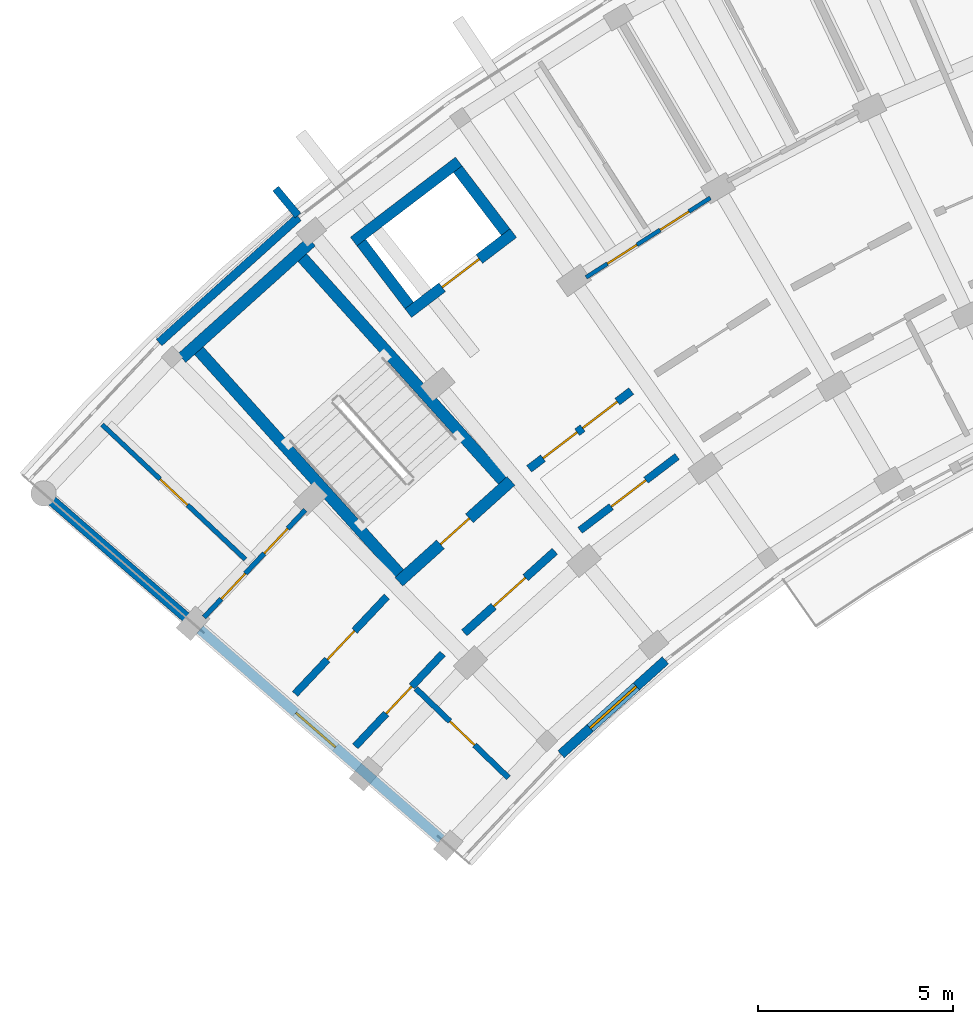
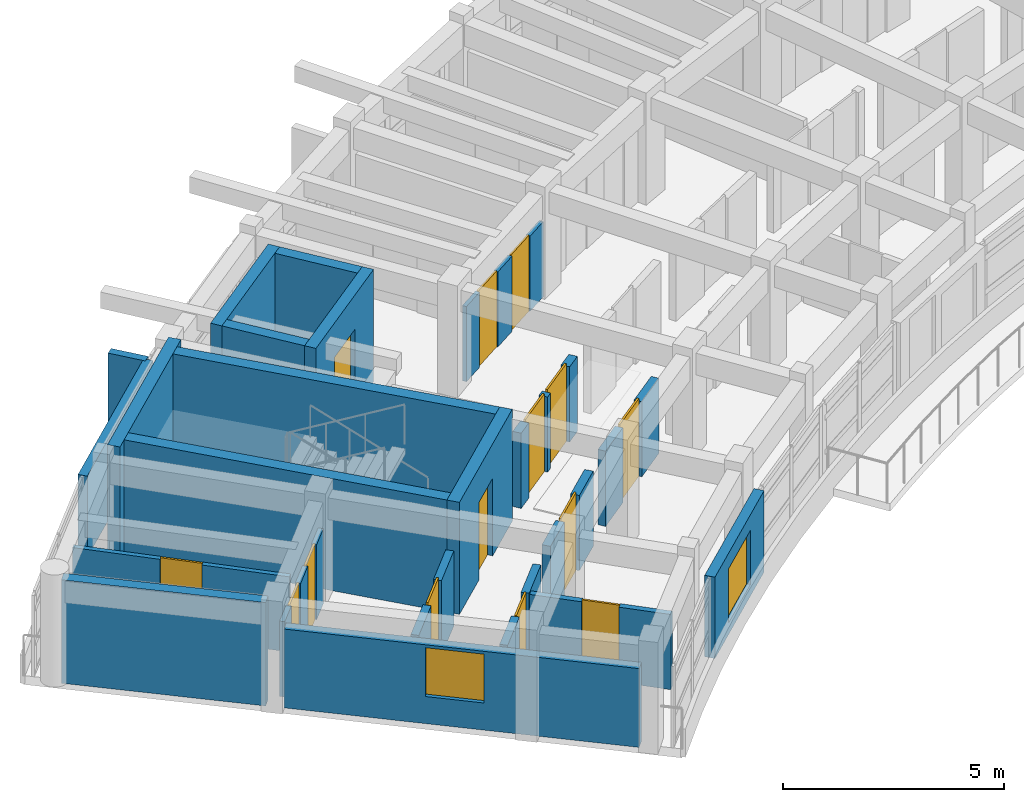
# One storey, part 27 of 54: 22 walls, 14 doors, 2 windows, 16 openings.
"""IFC4 building model written with IfcOpenShell, lengths in metres."""

from ifc_helpers import new_model, si_unit, direction, frame, frame_2d, origin, place, context, subcontext, project, spatial, rectangle, extrude, material, layer, layer_set, type_object, element, fill, save


model = new_model("IFC4")

# Units and contexts
model_context = context("Model", 3, precision=1e-05, world=origin(), true_north=direction((0.0, 1.0)))
body_context = subcontext(model_context, "Body", "Model", "MODEL_VIEW")
ifc_project = project(units=[si_unit("LENGTHUNIT", "METRE"), si_unit("AREAUNIT", "SQUARE_METRE"), si_unit("VOLUMEUNIT", "CUBIC_METRE"), si_unit("PLANEANGLEUNIT", "RADIAN"), si_unit("MASSUNIT", "GRAM", prefix="KILO")], contexts=[model_context])

# Site, building, storey
site_placement = place(None, origin())
site = spatial("IfcSite", under=ifc_project, at=site_placement, CompositionType="ELEMENT")
building_placement = place(site_placement, origin())
building = spatial("IfcBuilding", under=site, at=building_placement, Name="Zimvara Arc Housing Community", CompositionType="ELEMENT")
storey_placement = place(building_placement, frame((0.0, 0.0, 23.60009765625)))
storey = spatial("IfcBuildingStorey", under=building, at=storey_placement, Name="L07", CompositionType="ELEMENT", Elevation=23.60009765625)

# Wall
ifc_material_1 = material(Name="Board-Marked Fair-Faced Concrete C35/45", Category="concrete")
ifc_layer_1 = layer(ifc_material_1, 0.219970703125)
ifc_layer_set_1 = layer_set([ifc_layer_1], Name="Board-Marked Fair-Faced Concrete C35/45")
wall_type_1 = type_object("IfcWallType", Name="EWL-CONC-220", PredefinedType="SOLIDWALL", material=ifc_layer_set_1)
wall_1_placement = place(storey_placement, frame((3.528076171875, 86.996826171875, 0.0), z_axis=(0.0, 0.0, 1.0), x_axis=(0.743387539862, 0.668860946369, 0.0)))
element("IfcWall", 1, at=wall_1_placement, inside=storey, type_object=wall_type_1, Name="ewall:blkA:L07:out:b1", PredefinedType="SOLIDWALL", context=body_context, shape_type="SweptSolid", body=[
    extrude(rectangle(XDim=4.80908203125, YDim=0.219970703125, at=frame_2d((2.404541015625, 0.0))), origin(), (0.0, 0.0, 1.0), 2.25),
])

# Wall, opening, window
ifc_material_2 = material(Name="Board-Marked Fair-Faced Concrete C35/45", Category="concrete")
ifc_layer_2 = layer(ifc_material_2, 0.2548828125)
ifc_layer_set_2 = layer_set([ifc_layer_2], Name="Board-Marked Fair-Faced Concrete C35/45")
wall_type_2 = type_object("IfcWallType", Name="EWL-CONC-255", PredefinedType="SOLIDWALL", material=ifc_layer_set_2)
wall_2_placement = place(storey_placement, frame((10.766357421875, 74.2587890625, 0.0), z_axis=(0.0, 0.0, 1.0), x_axis=(-0.754717680958, 0.656049710044, 0.0)))
wall_2 = element("IfcWall", 2, at=wall_2_placement, inside=storey, type_object=wall_type_2, Name="ewall:blkA:L07:g0", PredefinedType="SOLIDWALL", context=body_context, shape_type="SweptSolid", body=[
    extrude(rectangle(XDim=8.199951171875, YDim=0.2548828125, at=frame_2d((4.10009765625, 0.0))), origin(), (0.0, 0.0, 1.0), 2.179931640625),
])
opening_1_placement = place(wall_2_placement, frame((3.590087890625, 0.0, 0.75)))
opening_1 = element("IfcOpeningElement", 3, at=opening_1_placement, cuts=wall_2, Name="Opening W12", PredefinedType="OPENING", context=body_context, shape_type="SweptSolid", body=[
    extrude(rectangle(XDim=1.35009765625, YDim=1.35009765625, at=frame_2d((0.675048828125, 0.675048828125))), frame((0.0, 0.137451171875, 0.0), z_axis=(0.0, -1.0, 0.0), x_axis=(1.0, 0.0, 0.0)), (0.0, 0.0, 1.0), 0.27490234375),
])
ifc_material_3 = material(Name="Solar Control Low-E Double Glazing", Category="glass")
window_type_1 = type_object("IfcWindowType", Name="WIN-RES-1350x1350", PartitioningType="DOUBLE_PANEL_VERTICAL", PredefinedType="WINDOW", material=ifc_material_3)
window_1_placement = place(opening_1_placement, origin())
window_1 = element("IfcWindow", 4, at=window_1_placement, inside=storey, type_object=window_type_1, Name="win:blkA:L07:g0:w", OverallHeight=1.35009765625, OverallWidth=1.35009765625, PartitioningType="DOUBLE_PANEL_VERTICAL", PredefinedType="WINDOW", context=body_context, shape_type="SweptSolid", body=[
    extrude(rectangle(XDim=1.35009765625, YDim=1.35009765625, at=frame_2d((0.675048828125, 0.675048828125))), frame((0.0, 0.030029296875, 0.0), z_axis=(0.0, -1.0, 0.0), x_axis=(1.0, 0.0, 0.0)), (0.0, 0.0, 1.0), 0.06005859375),
])
fill(opening_1, window_1)

# Wall
ifc_material_4 = material(Name="Board-Marked Fair-Faced Concrete C35/45", Category="concrete")
ifc_layer_3 = layer(ifc_material_4, 0.195068359375)
ifc_layer_set_3 = layer_set([ifc_layer_3], Name="Board-Marked Fair-Faced Concrete C35/45")
wall_type_3 = type_object("IfcWallType", Name="EWL-PARA-195", PredefinedType="PARAPET", material=ifc_layer_set_3)
wall_3_placement = place(storey_placement, frame((7.09228515625, 90.25732421875, 0.0), z_axis=(0.0, 0.0, 1.0), x_axis=(-0.637967316825, 0.770063440674, 0.0)))
element("IfcWall", 5, at=wall_3_placement, inside=storey, type_object=wall_type_3, Name="finwall:blkA:L07:out:b2", PredefinedType="PARAPET", context=body_context, shape_type="SweptSolid", body=[
    extrude(rectangle(XDim=0.900146484375, YDim=0.195068359375, at=frame_2d((0.4501953125, 0.0))), origin(), (0.0, 0.0, 1.0), 2.25),
])

# Wall, opening, window
ifc_material_5 = material(Name="Pigmented Fair-Faced Concrete C35/45", Category="concrete")
ifc_layer_4 = layer(ifc_material_5, 0.2451171875)
ifc_layer_set_4 = layer_set([ifc_layer_4], Name="Pigmented Fair-Faced Concrete C35/45")
wall_type_4 = type_object("IfcWallType", Name="EWL-PIGM-245", PredefinedType="SOLIDWALL", material=ifc_layer_set_4)
wall_4_placement = place(storey_placement, frame((13.84033203125, 76.436767578125, 0.0), z_axis=(0.0, 0.0, 1.0), x_axis=(0.743385092197, 0.668863666751, 0.0)))
wall_4 = element("IfcWall", 6, at=wall_4_placement, inside=storey, type_object=wall_type_4, Name="ewall:blkA:L07:in:b1", PredefinedType="SOLIDWALL", context=body_context, shape_type="SweptSolid", body=[
    extrude(rectangle(XDim=3.603759765625, YDim=0.2451171875, at=frame_2d((1.8017578125, 0.0))), origin(), (0.0, 0.0, 1.0), 2.25),
])
opening_2_placement = place(wall_4_placement, frame((1.001708984375, 0.0, 0.320068359375)))
opening_2 = element("IfcOpeningElement", 7, at=opening_2_placement, cuts=wall_4, Name="Opening W03", PredefinedType="OPENING", context=body_context, shape_type="SweptSolid", body=[
    extrude(rectangle(XDim=1.60009765625, YDim=1.5, at=frame_2d((0.800048828125, 0.75))), frame((0.0, 0.132568359375, 0.0), z_axis=(0.0, -1.0, 0.0), x_axis=(1.0, 0.0, 0.0)), (0.0, 0.0, 1.0), 0.26513671875),
])
ifc_material_6 = material(Name="Solar Control Low-E Double Glazing", Category="glass")
window_type_2 = type_object("IfcWindowType", Name="WIN-RES-1600x1500", PartitioningType="DOUBLE_PANEL_VERTICAL", PredefinedType="WINDOW", material=ifc_material_6)
window_2_placement = place(opening_2_placement, origin())
window_2 = element("IfcWindow", 8, at=window_2_placement, inside=storey, type_object=window_type_2, Name="win:blkA:L07:in:b1", OverallHeight=1.5, OverallWidth=1.60009765625, PartitioningType="DOUBLE_PANEL_VERTICAL", PredefinedType="WINDOW", context=body_context, shape_type="SweptSolid", body=[
    extrude(rectangle(XDim=1.60009765625, YDim=1.5, at=frame_2d((0.800048828125, 0.75))), frame((0.0, 0.030029296875, 0.0), z_axis=(0.0, -1.0, 0.0), x_axis=(1.0, 0.0, 0.0)), (0.0, 0.0, 1.0), 0.06005859375),
])
fill(opening_2, window_2)

# Wall, opening, door
ifc_material_7 = material(Name="Concrete C35/45", Category="concrete")
ifc_layer_5 = layer(ifc_material_7, 0.2099609375)
ifc_layer_set_5 = layer_set([ifc_layer_5], Name="Concrete C35/45")
wall_type_5 = type_object("IfcWallType", Name="IWL-CCF-210", PredefinedType="SOLIDWALL", material=ifc_layer_set_5)
wall_5_placement = place(storey_placement, frame((11.357177734375, 79.5517578125, 0.0), z_axis=(0.0, 0.0, 1.0), x_axis=(0.743387266925, 0.668861249718, 0.0)))
wall_5 = element("IfcWall", 9, at=wall_5_placement, inside=storey, type_object=wall_type_5, Name="iwall:blkA:L07:ccf_div:b1", PredefinedType="SOLIDWALL", context=body_context, shape_type="SweptSolid", body=[
    extrude(rectangle(XDim=3.12841796875, YDim=0.2099609375, at=frame_2d((1.564208984375, 0.0))), origin(), (0.0, 0.0, 1.0), 2.079833984375),
])
opening_3_placement = place(wall_5_placement, frame((1.014404296875, 0.0, 0.0)))
opening_3 = element("IfcOpeningElement", 10, at=opening_3_placement, cuts=wall_5, Name="Opening FD-CCF1", PredefinedType="OPENING", context=body_context, shape_type="SweptSolid", body=[
    extrude(rectangle(XDim=1.10009765625, YDim=2.14990234375, at=frame_2d((0.550048828125, 1.074951171875))), frame((0.0, 0.114990234375, 0.0), z_axis=(0.0, -1.0, 0.0), x_axis=(1.0, 0.0, 0.0)), (0.0, 0.0, 1.0), 0.22998046875),
])
ifc_material_8 = material(Name="Anodised Aluminium AW-6063", Category="aluminium")
door_type_1 = type_object("IfcDoorType", Name="IDR-CCF-1100x2150", OperationType="NOTDEFINED", PredefinedType="DOOR", material=ifc_material_8)
door_1_placement = place(opening_3_placement, origin())
door_1 = element("IfcDoor", 11, at=door_1_placement, inside=storey, type_object=door_type_1, Name="idoor:blkA:L07:ccf_in:b1", OperationType="SINGLE_SWING_RIGHT", OverallHeight=2.14990234375, OverallWidth=1.10009765625, PredefinedType="DOOR", context=body_context, shape_type="SweptSolid", body=[
    extrude(rectangle(XDim=1.10009765625, YDim=2.14990234375, at=frame_2d((0.550048828125, 1.074951171875))), frame((0.0, 0.02490234375, 0.0), z_axis=(0.0, -1.0, 0.0), x_axis=(1.0, 0.0, 0.0)), (0.0, 0.0, 1.0), 0.050048828125),
])
fill(opening_3, door_1)

# Wall, openings, doors
wall_6_placement = place(storey_placement, frame((13.021240234375, 83.758544921875, 0.0), z_axis=(0.0, 0.0, 1.0), x_axis=(0.795498026433, 0.605956178235, 0.0)))
wall_6 = element("IfcWall", 12, at=wall_6_placement, inside=storey, type_object=wall_type_5, Name="iwall:blkA:L07:ll_div:b2", PredefinedType="SOLIDWALL", context=body_context, shape_type="SweptSolid", body=[
    extrude(rectangle(XDim=3.296142578125, YDim=0.2099609375, at=frame_2d((1.64794921875, 0.0))), origin(), (0.0, 0.0, 1.0), 2.079833984375),
])
opening_4_placement = place(wall_6_placement, frame((0.449951171875, 0.0, 0.0)))
opening_4 = element("IfcOpeningElement", 13, at=opening_4_placement, cuts=wall_6, Name="Opening FD-CCF1", PredefinedType="OPENING", context=body_context, shape_type="SweptSolid", body=[
    extrude(rectangle(XDim=1.10009765625, YDim=2.14990234375, at=frame_2d((0.550048828125, 1.074951171875))), frame((0.0, 0.114990234375, 0.0), z_axis=(0.0, -1.0, 0.0), x_axis=(1.0, 0.0, 0.0)), (0.0, 0.0, 1.0), 0.22998046875),
])
opening_5_placement = place(wall_6_placement, frame((1.72607421875, 0.0, 0.0)))
opening_5 = element("IfcOpeningElement", 14, at=opening_5_placement, cuts=wall_6, Name="Opening D07", PredefinedType="OPENING", context=body_context, shape_type="SweptSolid", body=[
    extrude(rectangle(XDim=1.1201171875, YDim=2.14990234375, at=frame_2d((0.56005859375, 1.074951171875))), frame((0.0, 0.114990234375, 0.0), z_axis=(0.0, -1.0, 0.0), x_axis=(1.0, 0.0, 0.0)), (0.0, 0.0, 1.0), 0.22998046875),
])
ifc_material_9 = material(Name="Mozambican Hardwood", Category="wood")
door_type_2 = type_object("IfcDoorType", Name="IDR-AMN-1120x2150", OperationType="NOTDEFINED", PredefinedType="DOOR", material=ifc_material_9)
door_2_placement = place(opening_5_placement, origin())
door_2 = element("IfcDoor", 15, at=door_2_placement, inside=storey, type_object=door_type_2, Name="idoor:blkA:L07:rs_in:b2", OperationType="SINGLE_SWING_RIGHT", OverallHeight=2.14990234375, OverallWidth=1.1201171875, PredefinedType="DOOR", context=body_context, shape_type="SweptSolid", body=[
    extrude(rectangle(XDim=1.1201171875, YDim=2.14990234375, at=frame_2d((0.56005859375, 1.074951171875))), frame((0.0, 0.02490234375, 0.0), z_axis=(0.0, -1.0, 0.0), x_axis=(1.0, 0.0, 0.0)), (0.0, 0.0, 1.0), 0.050048828125),
])
fill(opening_5, door_2)
door_3_placement = place(opening_4_placement, origin())
door_3 = element("IfcDoor", 16, at=door_3_placement, inside=storey, type_object=door_type_1, Name="idoor:blkA:L07:ll_in:b2", OperationType="SINGLE_SWING_LEFT", OverallHeight=2.14990234375, OverallWidth=1.10009765625, PredefinedType="DOOR", context=body_context, shape_type="SweptSolid", body=[
    extrude(rectangle(XDim=1.10009765625, YDim=2.14990234375, at=frame_2d((0.550048828125, 1.074951171875))), frame((0.0, 0.02490234375, 0.0), z_axis=(0.0, -1.0, 0.0), x_axis=(1.0, 0.0, 0.0)), (0.0, 0.0, 1.0), 0.050048828125),
])
fill(opening_4, door_3)

# Wall, opening, door
ifc_material_10 = material(Name="Concrete C35/45", Category="concrete")
ifc_layer_6 = layer(ifc_material_10, 0.18994140625)
ifc_layer_set_6 = layer_set([ifc_layer_6], Name="Concrete C35/45")
wall_type_6 = type_object("IfcWallType", Name="IWL-CORR-190", PredefinedType="SOLIDWALL", material=ifc_layer_set_6)
wall_7_placement = place(storey_placement, frame((7.01416015625, 77.98388671875, 0.0), z_axis=(0.0, 0.0, 1.0), x_axis=(0.686310507227, 0.727308660522, 0.0)))
wall_7 = element("IfcWall", 17, at=wall_7_placement, inside=storey, type_object=wall_type_6, Name="iwall:blkA:L07:corr_out:b0", PredefinedType="SOLIDWALL", context=body_context, shape_type="SweptSolid", body=[
    extrude(rectangle(XDim=3.43603515625, YDim=0.18994140625, at=frame_2d((1.718017578125, 0.0))), origin(), (0.0, 0.0, 1.0), 2.079833984375),
])
opening_6_placement = place(wall_7_placement, frame((1.2080078125, 0.0, 0.0)))
opening_6 = element("IfcOpeningElement", 18, at=opening_6_placement, cuts=wall_7, Name="Opening FD-FL2", PredefinedType="OPENING", context=body_context, shape_type="SweptSolid", body=[
    extrude(rectangle(XDim=1.02001953125, YDim=2.14990234375, at=frame_2d((0.510009765625, 1.074951171875))), frame((0.0, 0.10498046875, 0.0), z_axis=(0.0, -1.0, 0.0), x_axis=(1.0, 0.0, 0.0)), (0.0, 0.0, 1.0), 0.2099609375),
])
ifc_material_11 = material(Name="Mozambican Hardwood", Category="wood")
door_type_3 = type_object("IfcDoorType", Name="IDR-FLAT-1020x2150", OperationType="NOTDEFINED", PredefinedType="DOOR", material=ifc_material_11)
door_4_placement = place(opening_6_placement, origin())
door_4 = element("IfcDoor", 19, at=door_4_placement, inside=storey, type_object=door_type_3, Name="idoor:blkA:L07:flat:b0", OperationType="SINGLE_SWING_RIGHT", OverallHeight=2.14990234375, OverallWidth=1.02001953125, PredefinedType="DOOR", context=body_context, shape_type="SweptSolid", body=[
    extrude(rectangle(XDim=1.02001953125, YDim=2.14990234375, at=frame_2d((0.510009765625, 1.074951171875))), frame((0.0, 0.02490234375, 0.0), z_axis=(0.0, -1.0, 0.0), x_axis=(1.0, 0.0, 0.0)), (0.0, 0.0, 1.0), 0.050048828125),
])
fill(opening_6, door_4)

wall_8_placement = place(storey_placement, frame((8.561279296875, 76.638916015625, 0.0), z_axis=(0.0, 0.0, 1.0), x_axis=(0.686307658735, 0.727311348434, 0.0)))
wall_8 = element("IfcWall", 20, at=wall_8_placement, inside=storey, type_object=wall_type_6, Name="iwall:blkA:L07:corr_in:b0", PredefinedType="SOLIDWALL", context=body_context, shape_type="SweptSolid", body=[
    extrude(rectangle(XDim=3.268798828125, YDim=0.18994140625, at=frame_2d((1.63427734375, 0.0))), origin(), (0.0, 0.0, 1.0), 2.079833984375),
])
opening_7_placement = place(wall_8_placement, frame((1.154296875, 0.0, 0.0)))
opening_7 = element("IfcOpeningElement", 21, at=opening_7_placement, cuts=wall_8, Name="Opening D04", PredefinedType="OPENING", context=body_context, shape_type="SweptSolid", body=[
    extrude(rectangle(XDim=0.9599609375, YDim=2.10009765625, at=frame_2d((0.47998046875, 1.050048828125))), frame((0.0, 0.10498046875, 0.0), z_axis=(0.0, -1.0, 0.0), x_axis=(1.0, 0.0, 0.0)), (0.0, 0.0, 1.0), 0.2099609375),
])
ifc_material_12 = material(Name="Mozambican Hardwood", Category="wood")
door_type_4 = type_object("IfcDoorType", Name="IDR-RM-0960x2100", OperationType="NOTDEFINED", PredefinedType="DOOR", material=ifc_material_12)
door_5_placement = place(opening_7_placement, origin())
door_5 = element("IfcDoor", 22, at=door_5_placement, inside=storey, type_object=door_type_4, Name="idoor:blkA:L07:in_rm:b0", OperationType="SINGLE_SWING_LEFT", OverallHeight=2.10009765625, OverallWidth=0.9599609375, PredefinedType="DOOR", context=body_context, shape_type="SweptSolid", body=[
    extrude(rectangle(XDim=0.9599609375, YDim=2.10009765625, at=frame_2d((0.47998046875, 1.050048828125))), frame((0.0, 0.02490234375, 0.0), z_axis=(0.0, -1.0, 0.0), x_axis=(1.0, 0.0, 0.0)), (0.0, 0.0, 1.0), 0.050048828125),
])
fill(opening_7, door_5)

wall_9_placement = place(storey_placement, frame((14.3291015625, 82.179931640625, 0.0), z_axis=(0.0, 0.0, 1.0), x_axis=(0.795501577908, 0.605951515838, 0.0)))
wall_9 = element("IfcWall", 23, at=wall_9_placement, inside=storey, type_object=wall_type_6, Name="iwall:blkA:L07:ra_div:b2", PredefinedType="SOLIDWALL", context=body_context, shape_type="SweptSolid", body=[
    extrude(rectangle(XDim=3.128662109375, YDim=0.18994140625, at=frame_2d((1.564453125, 0.0))), origin(), (0.0, 0.0, 1.0), 2.079833984375),
])
opening_8_placement = place(wall_9_placement, frame((1.00439453125, 0.0, 0.0)))
opening_8 = element("IfcOpeningElement", 24, at=opening_8_placement, cuts=wall_9, Name="Opening D07", PredefinedType="OPENING", context=body_context, shape_type="SweptSolid", body=[
    extrude(rectangle(XDim=1.1201171875, YDim=2.14990234375, at=frame_2d((0.56005859375, 1.074951171875))), frame((0.0, 0.10498046875, 0.0), z_axis=(0.0, -1.0, 0.0), x_axis=(1.0, 0.0, 0.0)), (0.0, 0.0, 1.0), 0.2099609375),
])
door_6_placement = place(opening_8_placement, origin())
door_6 = element("IfcDoor", 25, at=door_6_placement, inside=storey, type_object=door_type_2, Name="idoor:blkA:L07:ra_d:b2", OperationType="SINGLE_SWING_LEFT", OverallHeight=2.14990234375, OverallWidth=1.1201171875, PredefinedType="DOOR", context=body_context, shape_type="SweptSolid", body=[
    extrude(rectangle(XDim=1.1201171875, YDim=2.14990234375, at=frame_2d((0.56005859375, 1.074951171875))), frame((0.0, 0.02490234375, 0.0), z_axis=(0.0, -1.0, 0.0), x_axis=(1.0, 0.0, 0.0)), (0.0, 0.0, 1.0), 0.050048828125),
])
fill(opening_8, door_6)

# Wall, openings, doors
ifc_material_13 = material(Name="Painted Acoustic Plasterboard")
ifc_layer_7 = layer(ifc_material_13, 0.10498046875)
ifc_layer_set_7 = layer_set([ifc_layer_7], Name="Painted Acoustic Plasterboard")
wall_type_7 = type_object("IfcWallType", Name="IWL-PART-105", PredefinedType="PARTITIONING", material=ifc_layer_set_7)
wall_10_placement = place(storey_placement, frame((14.482421875, 88.671630859375, 0.0), z_axis=(0.0, 0.0, 1.0), x_axis=(0.842245628842, 0.539093962771, 0.0)))
wall_10 = element("IfcWall", 26, at=wall_10_placement, inside=storey, type_object=wall_type_7, Name="iwall:blkA:L07:srv:b3", PredefinedType="PARTITIONING", context=body_context, shape_type="SweptSolid", body=[
    extrude(rectangle(XDim=3.78515625, YDim=0.10498046875, at=frame_2d((1.892578125, 0.0))), origin(), (0.0, 0.0, 1.0), 2.079833984375),
])
opening_9_placement = place(wall_10_placement, frame((0.64990234375, 0.0, 0.0)))
opening_9 = element("IfcOpeningElement", 27, at=opening_9_placement, cuts=wall_10, Name="Opening D01", PredefinedType="OPENING", context=body_context, shape_type="SweptSolid", body=[
    extrude(rectangle(XDim=0.89990234375, YDim=2.10009765625, at=frame_2d((0.449951171875, 1.050048828125))), frame((0.0, 0.0625, 0.0), z_axis=(0.0, -1.0, 0.0), x_axis=(1.0, 0.0, 0.0)), (0.0, 0.0, 1.0), 0.125),
])
opening_10_placement = place(wall_10_placement, frame((2.255126953125, 0.0, 0.0)))
opening_10 = element("IfcOpeningElement", 28, at=opening_10_placement, cuts=wall_10, Name="Opening D05", PredefinedType="OPENING", context=body_context, shape_type="SweptSolid", body=[
    extrude(rectangle(XDim=0.8798828125, YDim=2.10009765625, at=frame_2d((0.43994140625, 1.050048828125))), frame((0.0, 0.0625, 0.0), z_axis=(0.0, -1.0, 0.0), x_axis=(1.0, 0.0, 0.0)), (0.0, 0.0, 1.0), 0.125),
])
ifc_material_14 = material(Name="Mozambican Hardwood", Category="wood")
door_type_5 = type_object("IfcDoorType", Name="IDR-RM-0900x2100", OperationType="NOTDEFINED", PredefinedType="DOOR", material=ifc_material_14)
door_7_placement = place(opening_9_placement, origin())
door_7 = element("IfcDoor", 29, at=door_7_placement, inside=storey, type_object=door_type_5, Name="idoor:blkA:L07:kit_liv:b3", OperationType="SINGLE_SWING_RIGHT", OverallHeight=2.10009765625, OverallWidth=0.89990234375, PredefinedType="DOOR", context=body_context, shape_type="SweptSolid", body=[
    extrude(rectangle(XDim=0.89990234375, YDim=2.10009765625, at=frame_2d((0.449951171875, 1.050048828125))), frame((0.0, 0.02490234375, 0.0), z_axis=(0.0, -1.0, 0.0), x_axis=(1.0, 0.0, 0.0)), (0.0, 0.0, 1.0), 0.050048828125),
])
fill(opening_9, door_7)
ifc_material_15 = material(Name="Mozambican Hardwood", Category="wood")
door_type_6 = type_object("IfcDoorType", Name="IDR-WC-0880x2100", OperationType="NOTDEFINED", PredefinedType="DOOR", material=ifc_material_15)
door_8_placement = place(opening_10_placement, origin())
door_8 = element("IfcDoor", 30, at=door_8_placement, inside=storey, type_object=door_type_6, Name="idoor:blkA:L07:bath_d:b3", OperationType="SINGLE_SWING_LEFT", OverallHeight=2.10009765625, OverallWidth=0.8798828125, PredefinedType="DOOR", context=body_context, shape_type="SweptSolid", body=[
    extrude(rectangle(XDim=0.8798828125, YDim=2.10009765625, at=frame_2d((0.43994140625, 1.050048828125))), frame((0.0, 0.02490234375, 0.0), z_axis=(0.0, -1.0, 0.0), x_axis=(1.0, 0.0, 0.0)), (0.0, 0.0, 1.0), 0.050048828125),
])
fill(opening_10, door_8)

# Wall, opening, door
ifc_material_16 = material(Name="Painted Acoustic Plasterboard")
ifc_layer_8 = layer(ifc_material_16, 0.1201171875)
ifc_layer_set_8 = layer_set([ifc_layer_8], Name="Painted Acoustic Plasterboard")
wall_type_8 = type_object("IfcWallType", Name="IWL-PART-120", PredefinedType="PARTITIONING", material=ifc_layer_set_8)
wall_11_placement = place(storey_placement, frame((5.7431640625, 81.433837890625, 0.0), z_axis=(0.0, 0.0, 1.0), x_axis=(-0.72831636485, 0.685241032551, 0.0)))
wall_11 = element("IfcWall", 31, at=wall_11_placement, inside=storey, type_object=wall_type_8, Name="iwall:blkA:L07:bed_div:b0", PredefinedType="PARTITIONING", context=body_context, shape_type="SweptSolid", body=[
    extrude(rectangle(XDim=5.050048828125, YDim=0.1201171875, at=frame_2d((2.52490234375, 0.0))), origin(), (0.0, 0.0, 1.0), 2.079833984375),
])
opening_11_placement = place(wall_11_placement, frame((2.0400390625, 0.0, 0.0)))
opening_11 = element("IfcOpeningElement", 32, at=opening_11_placement, cuts=wall_11, Name="Opening D14", PredefinedType="OPENING", context=body_context, shape_type="SweptSolid", body=[
    extrude(rectangle(XDim=0.969970703125, YDim=2.10009765625, at=frame_2d((0.48486328125, 1.050048828125))), frame((0.0, 0.070068359375, 0.0), z_axis=(0.0, -1.0, 0.0), x_axis=(1.0, 0.0, 0.0)), (0.0, 0.0, 1.0), 0.14013671875),
])
ifc_material_17 = material(Name="Mozambican Hardwood", Category="wood")
door_type_7 = type_object("IfcDoorType", Name="IDR-MOD-970x2080", OperationType="NOTDEFINED", PredefinedType="DOOR", material=ifc_material_17)
door_9_placement = place(opening_11_placement, origin())
door_9 = element("IfcDoor", 33, at=door_9_placement, inside=storey, type_object=door_type_7, Name="idoor:blkA:L07:bed_d:b0", OperationType="SINGLE_SWING_LEFT", OverallHeight=2.10009765625, OverallWidth=0.969970703125, PredefinedType="DOOR", context=body_context, shape_type="SweptSolid", body=[
    extrude(rectangle(XDim=0.969970703125, YDim=2.10009765625, at=frame_2d((0.48486328125, 1.050048828125))), frame((0.0, 0.02490234375, 0.0), z_axis=(0.0, -1.0, 0.0), x_axis=(1.0, 0.0, 0.0)), (0.0, 0.0, 1.0), 0.050048828125),
])
fill(opening_11, door_9)

# Wall, openings, doors
ifc_material_18 = material(Name="Painted Acoustic Plasterboard")
ifc_layer_9 = layer(ifc_material_18, 0.125)
ifc_layer_set_9 = layer_set([ifc_layer_9], Name="Painted Acoustic Plasterboard")
wall_type_9 = type_object("IfcWallType", Name="IWL-PART-125", PredefinedType="PARTITIONING", material=ifc_layer_set_9)
wall_12_placement = place(storey_placement, frame((4.677978515625, 79.948486328125, 0.0), z_axis=(0.0, 0.0, 1.0), x_axis=(0.686331812627, 0.72728855551, 0.0)))
wall_12 = element("IfcWall", 34, at=wall_12_placement, inside=storey, type_object=wall_type_9, Name="iwall:blkA:L07:srv:b0", PredefinedType="PARTITIONING", context=body_context, shape_type="SweptSolid", body=[
    extrude(rectangle(XDim=3.78515625, YDim=0.125, at=frame_2d((1.892578125, 0.0))), origin(), (0.0, 0.0, 1.0), 2.079833984375),
])
opening_12_placement = place(wall_12_placement, frame((0.64990234375, 0.0, 0.0)))
opening_12 = element("IfcOpeningElement", 35, at=opening_12_placement, cuts=wall_12, Name="Opening D01", PredefinedType="OPENING", context=body_context, shape_type="SweptSolid", body=[
    extrude(rectangle(XDim=0.89990234375, YDim=2.10009765625, at=frame_2d((0.449951171875, 1.050048828125))), frame((0.0, 0.072509765625, 0.0), z_axis=(0.0, -1.0, 0.0), x_axis=(1.0, 0.0, 0.0)), (0.0, 0.0, 1.0), 0.14501953125),
])
opening_13_placement = place(wall_12_placement, frame((2.255126953125, 0.0, 0.0)))
opening_13 = element("IfcOpeningElement", 36, at=opening_13_placement, cuts=wall_12, Name="Opening D05", PredefinedType="OPENING", context=body_context, shape_type="SweptSolid", body=[
    extrude(rectangle(XDim=0.8798828125, YDim=2.10009765625, at=frame_2d((0.43994140625, 1.050048828125))), frame((0.0, 0.072509765625, 0.0), z_axis=(0.0, -1.0, 0.0), x_axis=(1.0, 0.0, 0.0)), (0.0, 0.0, 1.0), 0.14501953125),
])
door_10_placement = place(opening_12_placement, origin())
door_10 = element("IfcDoor", 37, at=door_10_placement, inside=storey, type_object=door_type_5, Name="idoor:blkA:L07:kit_liv:b0", OperationType="SINGLE_SWING_LEFT", OverallHeight=2.10009765625, OverallWidth=0.89990234375, PredefinedType="DOOR", context=body_context, shape_type="SweptSolid", body=[
    extrude(rectangle(XDim=0.89990234375, YDim=2.10009765625, at=frame_2d((0.449951171875, 1.050048828125))), frame((0.0, 0.02490234375, 0.0), z_axis=(0.0, -1.0, 0.0), x_axis=(1.0, 0.0, 0.0)), (0.0, 0.0, 1.0), 0.050048828125),
])
fill(opening_12, door_10)
door_11_placement = place(opening_13_placement, origin())
door_11 = element("IfcDoor", 38, at=door_11_placement, inside=storey, type_object=door_type_6, Name="idoor:blkA:L07:bath_d:b0", OperationType="SINGLE_SWING_RIGHT", OverallHeight=2.10009765625, OverallWidth=0.8798828125, PredefinedType="DOOR", context=body_context, shape_type="SweptSolid", body=[
    extrude(rectangle(XDim=0.8798828125, YDim=2.10009765625, at=frame_2d((0.43994140625, 1.050048828125))), frame((0.0, 0.02490234375, 0.0), z_axis=(0.0, -1.0, 0.0), x_axis=(1.0, 0.0, 0.0)), (0.0, 0.0, 1.0), 0.050048828125),
])
fill(opening_13, door_11)

# Wall, opening, door
ifc_material_19 = material(Name="Painted Acoustic Plasterboard")
ifc_layer_10 = layer(ifc_material_19, 0.14501953125)
ifc_layer_set_10 = layer_set([ifc_layer_10], Name="Painted Acoustic Plasterboard")
wall_type_10 = type_object("IfcWallType", Name="IWL-WET-145", PredefinedType="PARTITIONING", material=ifc_layer_set_10)
wall_13_placement = place(storey_placement, frame((12.49169921875, 75.83251953125, 0.0), z_axis=(0.0, 0.0, 1.0), x_axis=(-0.720043614644, 0.693928809757, 0.0)))
wall_13 = element("IfcWall", 39, at=wall_13_placement, inside=storey, type_object=wall_type_10, Name="iwall:blkA:L07:ens:b0", PredefinedType="PARTITIONING", context=body_context, shape_type="SweptSolid", body=[
    extrude(rectangle(XDim=3.300048828125, YDim=0.14501953125, at=frame_2d((1.64990234375, 0.0))), origin(), (0.0, 0.0, 1.0), 2.079833984375),
])
opening_14_placement = place(wall_13_placement, frame((1.2099609375, 0.0, 0.0)))
opening_14 = element("IfcOpeningElement", 40, at=opening_14_placement, cuts=wall_13, Name="Opening D05", PredefinedType="OPENING", context=body_context, shape_type="SweptSolid", body=[
    extrude(rectangle(XDim=0.8798828125, YDim=2.10009765625, at=frame_2d((0.43994140625, 1.050048828125))), frame((0.0, 0.08251953125, 0.0), z_axis=(0.0, -1.0, 0.0), x_axis=(1.0, 0.0, 0.0)), (0.0, 0.0, 1.0), 0.1650390625),
])
door_12_placement = place(opening_14_placement, origin())
door_12 = element("IfcDoor", 41, at=door_12_placement, inside=storey, type_object=door_type_6, Name="idoor:blkA:L07:ens_d:b0", OperationType="SINGLE_SWING_RIGHT", OverallHeight=2.10009765625, OverallWidth=0.8798828125, PredefinedType="DOOR", context=body_context, shape_type="SweptSolid", body=[
    extrude(rectangle(XDim=0.8798828125, YDim=2.10009765625, at=frame_2d((0.43994140625, 1.050048828125))), frame((0.0, 0.02490234375, 0.0), z_axis=(0.0, -1.0, 0.0), x_axis=(1.0, 0.0, 0.0)), (0.0, 0.0, 1.0), 0.050048828125),
])
fill(opening_14, door_12)

ifc_material_20 = material(Name="Concrete C40/50", Category="concrete")
ifc_layer_11 = layer(ifc_material_20, 0.280029296875)
ifc_layer_set_11 = layer_set([ifc_layer_11], Name="Concrete C40/50")
wall_type_11 = type_object("IfcWallType", Name="WL-CORE-280", PredefinedType="SHEAR", material=ifc_layer_set_11)
wall_14_placement = place(storey_placement, frame((12.615966796875, 89.80712890625, 0.0), z_axis=(0.0, 0.0, 1.0), x_axis=(-0.795474703455, -0.605986795371, 0.0)))
wall_14 = element("IfcWall", 42, at=wall_14_placement, inside=storey, type_object=wall_type_11, Name="lwall:LF-A1:L07:front", PredefinedType="SHEAR", context=body_context, shape_type="SweptSolid", body=[
    extrude(rectangle(XDim=3.389892578125, YDim=0.280029296875, at=frame_2d((1.69482421875, 0.0))), origin(), (0.0, 0.0, 1.0), 3.099853515625),
])
opening_15_placement = place(wall_14_placement, frame((1.094970703125, 0.0, 0.0)))
opening_15 = element("IfcOpeningElement", 43, at=opening_15_placement, cuts=wall_14, Name="Opening LD-LF-A1", PredefinedType="OPENING", context=body_context, shape_type="SweptSolid", body=[
    extrude(rectangle(XDim=1.199951171875, YDim=2.14990234375, at=frame_2d((0.60009765625, 1.074951171875))), frame((0.0, 0.14990234375, 0.0), z_axis=(0.0, -1.0, 0.0), x_axis=(1.0, 0.0, 0.0)), (0.0, 0.0, 1.0), 0.300048828125),
])
ifc_material_21 = material(Name="Anodised Aluminium AW-6063", Category="aluminium")
door_type_8 = type_object("IfcDoorType", Name="IDR-LD-1200x2150", OperationType="DOUBLE_DOOR_SLIDING", PredefinedType="DOOR", material=ifc_material_21)
door_13_placement = place(opening_15_placement, origin())
door_13 = element("IfcDoor", 44, at=door_13_placement, inside=storey, type_object=door_type_8, Name="Lift LF-A1 Sliding Landing Door L07", OperationType="DOUBLE_DOOR_SLIDING", OverallHeight=2.14990234375, OverallWidth=1.199951171875, PredefinedType="DOOR", context=body_context, shape_type="SweptSolid", body=[
    extrude(rectangle(XDim=1.199951171875, YDim=2.14990234375, at=frame_2d((0.60009765625, 1.074951171875))), frame((0.0, 0.02490234375, 0.0), z_axis=(0.0, -1.0, 0.0), x_axis=(1.0, 0.0, 0.0)), (0.0, 0.0, 1.0), 0.050048828125),
])
fill(opening_15, door_13)

# Walls
wall_15_placement = place(storey_placement, frame((11.216064453125, 91.644775390625, 0.0), z_axis=(0.0, 0.0, 1.0), x_axis=(-0.795439986025, -0.606032365994, 0.0)))
element("IfcWall", 45, at=wall_15_placement, inside=storey, type_object=wall_type_11, Name="lwall:LF-A1:L07:back", PredefinedType="SHEAR", context=body_context, shape_type="SweptSolid", body=[
    extrude(rectangle(XDim=3.389892578125, YDim=0.280029296875, at=frame_2d((1.69482421875, 0.0))), origin(), (0.0, 0.0, 1.0), 3.099853515625),
])
wall_16_placement = place(storey_placement, frame((12.419677734375, 89.833740234375, 0.0), z_axis=(0.0, 0.0, 1.0), x_axis=(-0.605948992168, 0.795503500238, 0.0)))
element("IfcWall", 46, at=wall_16_placement, inside=storey, type_object=wall_type_11, Name="lwall:LF-A1:L07:left", PredefinedType="SHEAR", context=body_context, shape_type="SweptSolid", body=[
    extrude(rectangle(XDim=2.02978515625, YDim=0.280029296875, at=frame_2d((1.014892578125, 0.0))), origin(), (0.0, 0.0, 1.0), 3.099853515625),
])
wall_17_placement = place(storey_placement, frame((9.94580078125, 87.948974609375, 0.0), z_axis=(0.0, 0.0, 1.0), x_axis=(-0.605891019062, 0.795547656033, 0.0)))
element("IfcWall", 47, at=wall_17_placement, inside=storey, type_object=wall_type_11, Name="lwall:LF-A1:L07:right", PredefinedType="SHEAR", context=body_context, shape_type="SweptSolid", body=[
    extrude(rectangle(XDim=2.030029296875, YDim=0.280029296875, at=frame_2d((1.01513671875, 0.0))), origin(), (0.0, 0.0, 1.0), 3.099853515625),
])

# Wall, opening, door
ifc_material_22 = material(Name="Concrete C40/50", Category="concrete")
ifc_layer_12 = layer(ifc_material_22, 0.300048828125)
ifc_layer_set_12 = layer_set([ifc_layer_12], Name="Concrete C40/50")
wall_type_12 = type_object("IfcWallType", Name="WL-CORE-300", PredefinedType="SHEAR", material=ifc_layer_set_12)
wall_18_placement = place(storey_placement, frame((12.556884765625, 83.4501953125, 0.0), z_axis=(0.0, 0.0, 1.0), x_axis=(-0.743375696158, -0.668874109501, 0.0)))
wall_18 = element("IfcWall", 48, at=wall_18_placement, inside=storey, type_object=wall_type_12, Name="cwall:ST-A1:L07:near", PredefinedType="SHEAR", context=body_context, shape_type="SweptSolid", body=[
    extrude(rectangle(XDim=3.8701171875, YDim=0.300048828125, at=frame_2d((1.93505859375, 0.0))), origin(), (0.0, 0.0, 1.0), 3.099853515625),
])
opening_16_placement = place(wall_18_placement, frame((1.43505859375, 0.0, 0.0)))
opening_16 = element("IfcOpeningElement", 49, at=opening_16_placement, cuts=wall_18, Name="Opening FD-ST1", PredefinedType="OPENING", context=body_context, shape_type="SweptSolid", body=[
    extrude(rectangle(XDim=1.0, YDim=2.14990234375, at=frame_2d((0.5, 1.074951171875))), frame((0.0, 0.159912109375, 0.0), z_axis=(0.0, -1.0, 0.0), x_axis=(1.0, 0.0, 0.0)), (0.0, 0.0, 1.0), 0.320068359375),
])
ifc_material_23 = material(Name="Anodised Aluminium AW-6063", Category="aluminium")
door_type_9 = type_object("IfcDoorType", Name="IDR-ST-1000x2150", OperationType="NOTDEFINED", PredefinedType="DOOR", material=ifc_material_23)
door_14_placement = place(opening_16_placement, origin())
door_14 = element("IfcDoor", 50, at=door_14_placement, inside=storey, type_object=door_type_9, Name="idoor:ST-A1:L07:entry", OperationType="SINGLE_SWING_LEFT", OverallHeight=2.14990234375, OverallWidth=1.0, PredefinedType="DOOR", context=body_context, shape_type="SweptSolid", body=[
    extrude(rectangle(XDim=1.0, YDim=2.14990234375, at=frame_2d((0.5, 1.074951171875))), frame((0.0, 0.02490234375, 0.0), z_axis=(0.0, -1.0, 0.0), x_axis=(1.0, 0.0, 0.0)), (0.0, 0.0, 1.0), 0.050048828125),
])
fill(opening_16, door_14)

# Walls
wall_19_placement = place(storey_placement, frame((7.435546875, 89.59033203125, 0.0), z_axis=(0.0, 0.0, 1.0), x_axis=(-0.743400052815, -0.668847038922, 0.0)))
element("IfcWall", 51, at=wall_19_placement, inside=storey, type_object=wall_type_12, Name="cwall:ST-A1:L07:far", PredefinedType="SHEAR", context=body_context, shape_type="SweptSolid", body=[
    extrude(rectangle(XDim=4.469970703125, YDim=0.300048828125, at=frame_2d((2.23486328125, 0.0))), origin(), (0.0, 0.0, 1.0), 3.099853515625),
])
wall_20_placement = place(storey_placement, frame((12.344970703125, 83.461181640625, 0.0), z_axis=(0.0, 0.0, 1.0), x_axis=(-0.668868253964, 0.743380964808, 0.0)))
element("IfcWall", 52, at=wall_20_placement, inside=storey, type_object=wall_type_12, Name="cwall:ST-A1:L07:left", PredefinedType="SHEAR", context=body_context, shape_type="SweptSolid", body=[
    extrude(rectangle(XDim=7.68994140625, YDim=0.300048828125, at=frame_2d((3.844970703125, 0.0))), origin(), (0.0, 0.0, 1.0), 3.099853515625),
])
wall_21_placement = place(storey_placement, frame((9.691162109375, 81.073486328125, 0.0), z_axis=(0.0, 0.0, 1.0), x_axis=(-0.668885797871, 0.743365179038, 0.0)))
element("IfcWall", 53, at=wall_21_placement, inside=storey, type_object=wall_type_12, Name="cwall:ST-A1:L07:right", PredefinedType="SHEAR", context=body_context, shape_type="SweptSolid", body=[
    extrude(rectangle(XDim=7.690185546875, YDim=0.300048828125, at=frame_2d((3.84521484375, 0.0))), origin(), (0.0, 0.0, 1.0), 3.099853515625),
])
ifc_material_24 = material(Name="Concrete C40/50", Category="concrete")
ifc_layer_13 = layer(ifc_material_24, 0.27001953125)
ifc_layer_set_13 = layer_set([ifc_layer_13], Name="Concrete C40/50")
wall_type_13 = type_object("IfcWallType", Name="WL-SHEAR-270", PredefinedType="SHEAR", material=ifc_layer_set_13)
wall_22_placement = place(storey_placement, frame((4.2607421875, 79.9140625, 0.0), z_axis=(0.0, 0.0, 1.0), x_axis=(-0.754703505217, 0.65606601742, 0.0)))
element("IfcWall", 54, at=wall_22_placement, inside=storey, type_object=wall_type_13, Name="swall:blkA:L07:west", PredefinedType="SHEAR", context=body_context, shape_type="SweptSolid", body=[
    extrude(rectangle(XDim=4.719970703125, YDim=0.27001953125, at=frame_2d((2.35986328125, 0.0))), origin(), (0.0, 0.0, 1.0), 2.85986328125),
])

save(model, "model.ifc")
